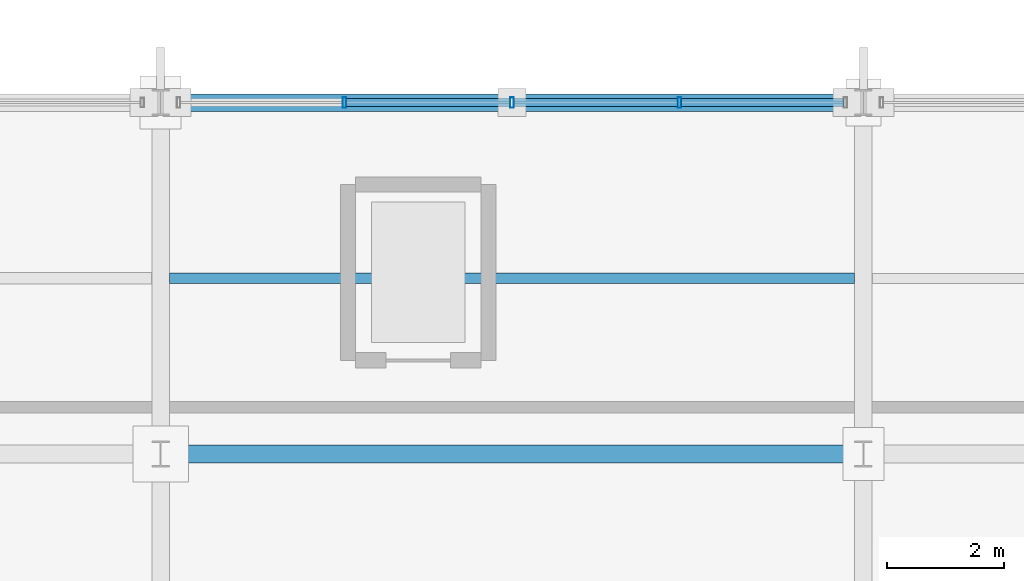
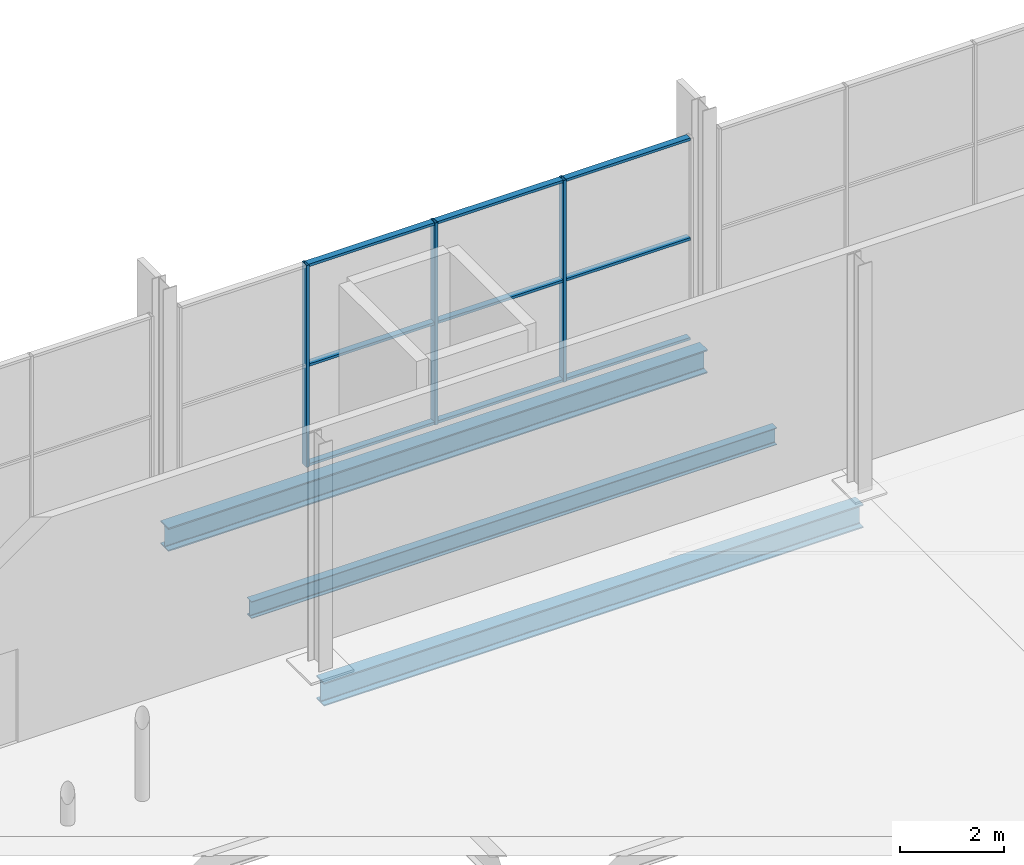
# One storey, part 85 of 196: 12 members, 3 beams, 1 element without a shape of its own.
"""IFC4 building model written with IfcOpenShell, lengths in metres."""

from ifc_helpers import new_model, si_unit, direction, frame, origin, origin_2d, place, context, subcontext, project, spatial, hollow_rectangle, i_section, extrude, material, material_profile, profile_set, type_object, element, aggregate, save


model = new_model("IFC4")

# Units and contexts
model_context = context("Model", 3, precision=1e-05, world=origin(), true_north=direction((0.0, 1.0)))
body_context = subcontext(model_context, "Body", "Model", "MODEL_VIEW")
ifc_project = project(units=[si_unit("LENGTHUNIT", "METRE"), si_unit("AREAUNIT", "SQUARE_METRE"), si_unit("VOLUMEUNIT", "CUBIC_METRE"), si_unit("PLANEANGLEUNIT", "RADIAN"), si_unit("MASSUNIT", "GRAM", prefix="KILO")], contexts=[model_context])

# Site, building, storey
site_placement = place(None, origin())
site = spatial("IfcSite", under=ifc_project, at=site_placement, CompositionType="ELEMENT")
building_placement = place(site_placement, origin())
building = spatial("IfcBuilding", under=site, at=building_placement, Name="Merenkruunu Market Hall", CompositionType="ELEMENT")
storey_placement = place(building_placement, origin())
storey = spatial("IfcBuildingStorey", under=building, at=storey_placement, Name="L00", CompositionType="ELEMENT", Elevation=0.0)

# Curtain wall, members
ifc_material_1 = material(Name="Powder-coated aluminium", Category="aluminium")
curtain_wall_type = type_object("IfcCurtainWallType", Name="Glazed Curtain Wall CW04", PredefinedType="USERDEFINED", material=ifc_material_1)
curtain_wall_placement = place(storey_placement, origin())
curtain_wall = element("IfcCurtainWall", 1, at=curtain_wall_placement, inside=storey, type_object=curtain_wall_type, Name="CW-L00-CWM02-188", ObjectType="GLAZED_FACADE", PredefinedType="USERDEFINED")
ifc_material_profile_1 = material_profile(ifc_material_1, hollow_rectangle(XDim=0.06005859375, YDim=0.179931640625, WallThickness=0.00390625, at=origin_2d()), Name="ALU 60x180x4")
ifc_profile_set_1 = profile_set([ifc_material_profile_1], Name="Powder-coated aluminium")
member_type_1 = type_object("IfcMemberType", Name="Curtain Wall Mullion CWM02", PredefinedType="MULLION", material=ifc_profile_set_1)
member_1_placement = place(storey_placement, frame((103.93994140625, 45.60009765625, 0.0), z_axis=(0.0, 0.0, 1.0), x_axis=(1.0, 0.0, 0.0)))
member_1 = element("IfcMember", 2, at=member_1_placement, type_object=member_type_1, Name="CW04 mullion 2", PredefinedType="MULLION", context=body_context, shape_type="SweptSolid", body=[
    extrude(hollow_rectangle(XDim=0.06005859375, YDim=0.179931640625, WallThickness=0.00390625, at=origin_2d()), origin(), (0.0, 0.0, 1.0), 4.75),
])
member_2_placement = place(storey_placement, frame((106.800048828125, 45.60009765625, 0.0), z_axis=(0.0, 0.0, 1.0), x_axis=(1.0, 0.0, 0.0)))
member_2 = element("IfcMember", 3, at=member_2_placement, type_object=member_type_1, Name="CW04 mullion 3", PredefinedType="MULLION", context=body_context, shape_type="SweptSolid", body=[
    extrude(hollow_rectangle(XDim=0.06005859375, YDim=0.179931640625, WallThickness=0.00390625, at=origin_2d()), origin(), (0.0, 0.0, 1.0), 4.75),
])
member_3_placement = place(storey_placement, frame((109.659912109375, 45.60009765625, 0.0), z_axis=(0.0, 0.0, 1.0), x_axis=(1.0, 0.0, 0.0)))
member_3 = element("IfcMember", 4, at=member_3_placement, type_object=member_type_1, Name="CW04 mullion 4", PredefinedType="MULLION", context=body_context, shape_type="SweptSolid", body=[
    extrude(hollow_rectangle(XDim=0.06005859375, YDim=0.179931640625, WallThickness=0.00390625, at=origin_2d()), origin(), (0.0, 0.0, 1.0), 4.75),
])
ifc_material_profile_2 = material_profile(ifc_material_1, hollow_rectangle(XDim=0.06005859375, YDim=0.139892578125, WallThickness=0.00390625, at=origin_2d()), Name="ALU 60x140x4")
ifc_profile_set_2 = profile_set([ifc_material_profile_2], Name="Powder-coated aluminium")
member_type_2 = type_object("IfcMemberType", Name="Curtain Wall Transom CWT02", PredefinedType="USERDEFINED", material=ifc_profile_set_2)
member_4_placement = place(storey_placement, frame((103.969970703125, 45.60009765625, 0.030029296875), z_axis=(1.0, 0.0, 0.0), x_axis=(0.0, 0.0, 1.0)))
member_4 = element("IfcMember", 5, at=member_4_placement, type_object=member_type_2, Name="CW04 transom 2.1", ObjectType="TRANSOM", PredefinedType="USERDEFINED", context=body_context, shape_type="SweptSolid", body=[
    extrude(hollow_rectangle(XDim=0.06005859375, YDim=0.139892578125, WallThickness=0.00390625, at=origin_2d()), origin(), (0.0, 0.0, 1.0), 2.800048828125),
])
member_5_placement = place(storey_placement, frame((103.969970703125, 45.60009765625, 2.375), z_axis=(1.0, 0.0, 0.0), x_axis=(0.0, 0.0, 1.0)))
member_5 = element("IfcMember", 6, at=member_5_placement, type_object=member_type_2, Name="CW04 transom 2.2", ObjectType="TRANSOM", PredefinedType="USERDEFINED", context=body_context, shape_type="SweptSolid", body=[
    extrude(hollow_rectangle(XDim=0.06005859375, YDim=0.139892578125, WallThickness=0.00390625, at=origin_2d()), origin(), (0.0, 0.0, 1.0), 2.800048828125),
])
member_6_placement = place(storey_placement, frame((103.969970703125, 45.60009765625, 4.719970703125), z_axis=(1.0, 0.0, 0.0), x_axis=(0.0, 0.0, 1.0)))
member_6 = element("IfcMember", 7, at=member_6_placement, type_object=member_type_2, Name="CW04 transom 2.3", ObjectType="TRANSOM", PredefinedType="USERDEFINED", context=body_context, shape_type="SweptSolid", body=[
    extrude(hollow_rectangle(XDim=0.06005859375, YDim=0.139892578125, WallThickness=0.00390625, at=origin_2d()), origin(), (0.0, 0.0, 1.0), 2.800048828125),
])
member_7_placement = place(storey_placement, frame((106.830078125, 45.60009765625, 0.030029296875), z_axis=(1.0, 0.0, 0.0), x_axis=(0.0, 0.0, 1.0)))
member_7 = element("IfcMember", 8, at=member_7_placement, type_object=member_type_2, Name="CW04 transom 3.1", ObjectType="TRANSOM", PredefinedType="USERDEFINED", context=body_context, shape_type="SweptSolid", body=[
    extrude(hollow_rectangle(XDim=0.06005859375, YDim=0.139892578125, WallThickness=0.00390625, at=origin_2d()), origin(), (0.0, 0.0, 1.0), 2.7998046875),
])
member_8_placement = place(storey_placement, frame((106.830078125, 45.60009765625, 2.375), z_axis=(1.0, 0.0, 0.0), x_axis=(0.0, 0.0, 1.0)))
member_8 = element("IfcMember", 9, at=member_8_placement, type_object=member_type_2, Name="CW04 transom 3.2", ObjectType="TRANSOM", PredefinedType="USERDEFINED", context=body_context, shape_type="SweptSolid", body=[
    extrude(hollow_rectangle(XDim=0.06005859375, YDim=0.139892578125, WallThickness=0.00390625, at=origin_2d()), origin(), (0.0, 0.0, 1.0), 2.7998046875),
])
member_9_placement = place(storey_placement, frame((106.830078125, 45.60009765625, 4.719970703125), z_axis=(1.0, 0.0, 0.0), x_axis=(0.0, 0.0, 1.0)))
member_9 = element("IfcMember", 10, at=member_9_placement, type_object=member_type_2, Name="CW04 transom 3.3", ObjectType="TRANSOM", PredefinedType="USERDEFINED", context=body_context, shape_type="SweptSolid", body=[
    extrude(hollow_rectangle(XDim=0.06005859375, YDim=0.139892578125, WallThickness=0.00390625, at=origin_2d()), origin(), (0.0, 0.0, 1.0), 2.7998046875),
])
member_10_placement = place(storey_placement, frame((109.68994140625, 45.60009765625, 0.030029296875), z_axis=(1.0, 0.0, 0.0), x_axis=(0.0, 0.0, 1.0)))
member_10 = element("IfcMember", 11, at=member_10_placement, type_object=member_type_2, Name="CW04 transom 4.1", ObjectType="TRANSOM", PredefinedType="USERDEFINED", context=body_context, shape_type="SweptSolid", body=[
    extrude(hollow_rectangle(XDim=0.06005859375, YDim=0.139892578125, WallThickness=0.00390625, at=origin_2d()), origin(), (0.0, 0.0, 1.0), 2.77001953125),
])
member_11_placement = place(storey_placement, frame((109.68994140625, 45.60009765625, 2.375), z_axis=(1.0, 0.0, 0.0), x_axis=(0.0, 0.0, 1.0)))
member_11 = element("IfcMember", 12, at=member_11_placement, type_object=member_type_2, Name="CW04 transom 4.2", ObjectType="TRANSOM", PredefinedType="USERDEFINED", context=body_context, shape_type="SweptSolid", body=[
    extrude(hollow_rectangle(XDim=0.06005859375, YDim=0.139892578125, WallThickness=0.00390625, at=origin_2d()), origin(), (0.0, 0.0, 1.0), 2.77001953125),
])
member_12_placement = place(storey_placement, frame((109.68994140625, 45.60009765625, 4.719970703125), z_axis=(1.0, 0.0, 0.0), x_axis=(0.0, 0.0, 1.0)))
member_12 = element("IfcMember", 13, at=member_12_placement, type_object=member_type_2, Name="CW04 transom 4.3", ObjectType="TRANSOM", PredefinedType="USERDEFINED", context=body_context, shape_type="SweptSolid", body=[
    extrude(hollow_rectangle(XDim=0.06005859375, YDim=0.139892578125, WallThickness=0.00390625, at=origin_2d()), origin(), (0.0, 0.0, 1.0), 2.77001953125),
])
aggregate(curtain_wall, [member_1, member_2, member_3, member_4, member_5, member_6, member_7, member_8, member_9, member_10, member_11, member_12])

# Beams
ifc_material_2 = material(Name="Steel S355J2", Category="steel")
ifc_material_profile_3 = material_profile(ifc_material_2, i_section(OverallWidth=0.300048828125, OverallDepth=0.550048828125, WebThickness=0.014892578125, FlangeThickness=0.029052734375, FilletRadius=0.027099609375, at=origin_2d()), Name="HEB 550")
ifc_profile_set_3 = profile_set([ifc_material_profile_3], Name="Steel S355J2")
beam_type_1 = type_object("IfcBeamType", Name="Primary Floor Girder B02", PredefinedType="BEAM", material=ifc_profile_set_3)
for number, where, z_axis, x_axis, name in (
    (14, (100.800048828125, 39.60009765625, -0.574951171875), (1.0, 0.0, 0.0), (0.0, 1.0, 0.0), "BM-L00-B02-0055"),
    (15, (100.800048828125, 45.60009765625, -0.574951171875), (1.0, 0.0, 0.0), (0.0, 1.0, 0.0), "BM-L00-B02-0073"),
):
    element("IfcBeam", number, at=place(storey_placement, frame(where, z_axis=z_axis, x_axis=x_axis)), inside=storey, type_object=beam_type_1, Name=name, PredefinedType="BEAM", context=body_context, shape_type="SweptSolid", body=[
        extrude(i_section(OverallWidth=0.300048828125, OverallDepth=0.550048828125, WebThickness=0.014892578125, FlangeThickness=0.029052734375, FilletRadius=0.027099609375, at=origin_2d()), origin(), (0.0, 0.0, 1.0), 12.0),
    ])
ifc_material_profile_4 = material_profile(ifc_material_2, i_section(OverallWidth=0.179931640625, OverallDepth=0.39990234375, WebThickness=0.008544921875, FlangeThickness=0.013427734375, FilletRadius=0.02099609375, at=origin_2d()), Name="IPE 400")
ifc_profile_set_4 = profile_set([ifc_material_profile_4], Name="Steel S355J2")
beam_type_2 = type_object("IfcBeamType", Name="Secondary Floor Joist J02", PredefinedType="JOIST", material=ifc_profile_set_4)
beam_placement = place(storey_placement, frame((100.952880859375, 42.60009765625, -0.5), z_axis=(1.0, 0.0, 0.0), x_axis=(0.0, 1.0, 0.0)))
element("IfcBeam", 16, at=beam_placement, inside=storey, type_object=beam_type_2, Name="BM-L00-J02-0390", PredefinedType="JOIST", context=body_context, shape_type="SweptSolid", body=[
    extrude(i_section(OverallWidth=0.179931640625, OverallDepth=0.39990234375, WebThickness=0.008544921875, FlangeThickness=0.013427734375, FilletRadius=0.02099609375, at=origin_2d()), origin(), (0.0, 0.0, 1.0), 11.694091796875),
])

save(model, "model.ifc")
